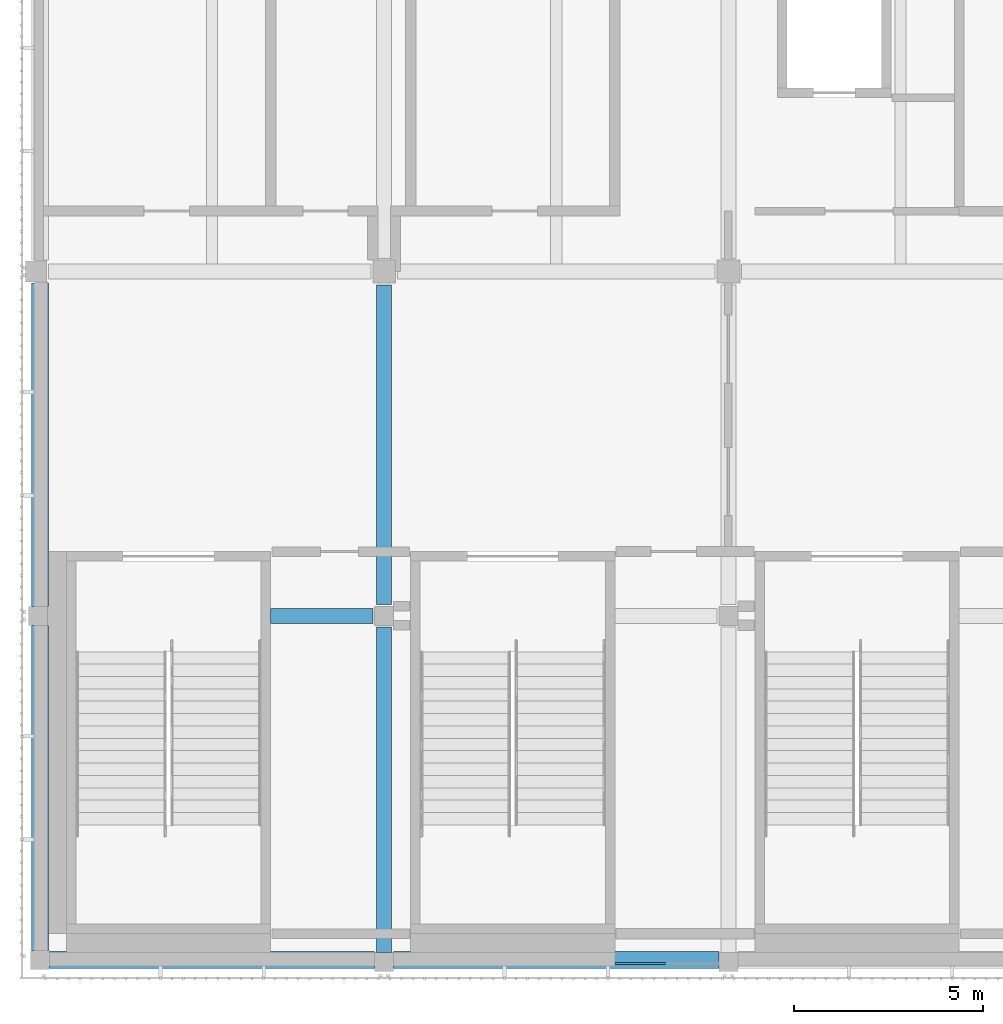
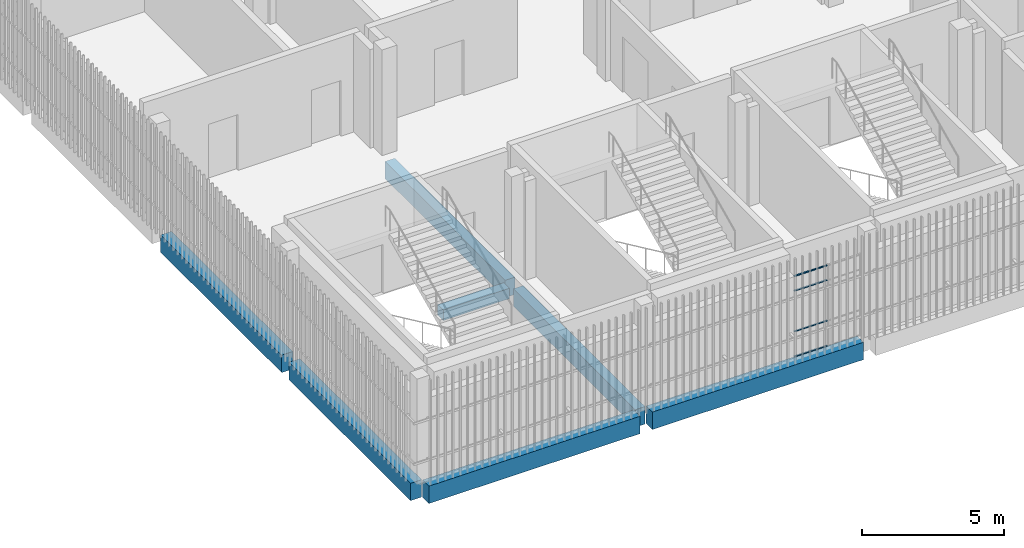
# One storey, part 3 of 124: 7 beams, 4 members, 1 element without a shape of its own.
"""IFC4 building model written with IfcOpenShell, lengths in metres."""

from ifc_helpers import new_model, si_unit, direction, frame, origin, origin_2d, place, context, subcontext, project, spatial, rectangle, hollow_rectangle, extrude, material, layer, layer_set, material_profile, profile_set, type_object, element, aggregate, save


model = new_model("IFC4")

# Units and contexts
model_context = context("Model", 3, precision=1e-05, world=origin(), true_north=direction((0.0, 1.0)))
body_context = subcontext(model_context, "Body", "Model", "MODEL_VIEW")
ifc_project = project(units=[si_unit("LENGTHUNIT", "METRE"), si_unit("AREAUNIT", "SQUARE_METRE"), si_unit("VOLUMEUNIT", "CUBIC_METRE"), si_unit("PLANEANGLEUNIT", "RADIAN"), si_unit("MASSUNIT", "GRAM", prefix="KILO")], contexts=[model_context])

# Site, building, storey
site_placement = place(None, origin())
site = spatial("IfcSite", under=ifc_project, at=site_placement, CompositionType="ELEMENT")
building_placement = place(site_placement, origin())
building = spatial("IfcBuilding", under=site, at=building_placement, Name="Shirokan Park Arena", CompositionType="ELEMENT")
storey_placement = place(building_placement, frame((0.0, 0.0, 20.02001953125)))
storey = spatial("IfcBuildingStorey", under=building, at=storey_placement, Name="L04", CompositionType="ELEMENT", Elevation=20.02001953125)

# Beams
ifc_material_1 = material(Name="Concrete C35", Category="concrete")
ifc_material_profile_1 = material_profile(ifc_material_1, rectangle(XDim=0.39990234375, YDim=0.75, at=origin_2d()), Name="400x750")
ifc_profile_set_1 = profile_set([ifc_material_profile_1], Name="Concrete C35")
beam_type_1 = type_object("IfcBeamType", Name="RC girder 400x750", PredefinedType="BEAM", material=ifc_profile_set_1)
beam_1_placement = place(storey_placement, frame((9.10009765625, 0.2001953125, -0.625), z_axis=(0.0, 1.0, 0.0), x_axis=(-1.0, 0.0, 0.0)))
element("IfcBeam", 1, at=beam_1_placement, inside=storey, type_object=beam_type_1, Name="Girder 2A-2B L04", PredefinedType="BEAM", context=body_context, shape_type="SweptSolid", body=[
    extrude(rectangle(XDim=0.39990234375, YDim=0.75, at=origin_2d()), origin(), (0.0, 0.0, 1.0), 8.599609375),
])
beam_2_placement = place(storey_placement, frame((9.10009765625, 9.400146484375, -0.625), z_axis=(0.0, 1.0, 0.0), x_axis=(-1.0, 0.0, 0.0)))
element("IfcBeam", 2, at=beam_2_placement, inside=storey, type_object=beam_type_1, Name="Girder 2B-2C L04", PredefinedType="BEAM", context=body_context, shape_type="SweptSolid", body=[
    extrude(rectangle(XDim=0.39990234375, YDim=0.75, at=origin_2d()), origin(), (0.0, 0.0, 1.0), 8.44970703125),
])
ifc_material_profile_2 = material_profile(ifc_material_1, rectangle(XDim=0.449951171875, YDim=0.75, at=origin_2d()), Name="450x750")
ifc_profile_set_2 = profile_set([ifc_material_profile_2], Name="Concrete C35")
beam_type_2 = type_object("IfcBeamType", Name="RC girder 450x750", PredefinedType="BEAM", material=ifc_profile_set_2)
for number, where, z_axis, x_axis, name in (
    (3, (0.25, 0.0, -0.625), (1.0, 0.0, 0.0), (0.0, 1.0, 0.0), "Girder 1A-2A L04"),
    (4, (9.35009765625, 0.0, -0.625), (1.0, 0.0, 0.0), (0.0, 1.0, 0.0), "Girder 2A-3A L04"),
    (5, (0.0, 0.25, -0.625), (0.0, 1.0, 0.0), (-1.0, 0.0, 0.0), "Girder 1A-1B L04"),
):
    element("IfcBeam", number, at=place(storey_placement, frame(where, z_axis=z_axis, x_axis=x_axis)), inside=storey, type_object=beam_type_2, Name=name, PredefinedType="BEAM", context=body_context, shape_type="SweptSolid", body=[
        extrude(rectangle(XDim=0.449951171875, YDim=0.75, at=origin_2d()), origin(), (0.0, 0.0, 1.0), 8.599853515625),
    ])
beam_3_placement = place(storey_placement, frame((0.0, 9.35009765625, -0.625), z_axis=(0.0, 1.0, 0.0), x_axis=(-1.0, 0.0, 0.0)))
element("IfcBeam", 6, at=beam_3_placement, inside=storey, type_object=beam_type_2, Name="Girder 1B-1C L04", PredefinedType="BEAM", context=body_context, shape_type="SweptSolid", body=[
    extrude(rectangle(XDim=0.449951171875, YDim=0.75, at=origin_2d()), origin(), (0.0, 0.0, 1.0), 8.5498046875),
])
ifc_material_profile_3 = material_profile(ifc_material_1, rectangle(XDim=0.39990234375, YDim=0.449951171875, at=origin_2d()), Name="400x450")
ifc_profile_set_3 = profile_set([ifc_material_profile_3], Name="Concrete C35")
beam_type_3 = type_object("IfcBeamType", Name="RC trimmer 400x450", PredefinedType="BEAM", material=ifc_profile_set_3)
beam_4_placement = place(storey_placement, frame((6.10009765625, 9.10009765625, -0.47509765625), z_axis=(1.0, 0.0, 0.0), x_axis=(0.0, 1.0, 0.0)))
element("IfcBeam", 7, at=beam_4_placement, inside=storey, type_object=beam_type_3, Name="Girder 1B-2B L04", PredefinedType="BEAM", context=body_context, shape_type="SweptSolid", body=[
    extrude(rectangle(XDim=0.39990234375, YDim=0.449951171875, at=origin_2d()), origin(), (0.0, 0.0, 1.0), 2.69970703125),
])

# Curtain wall, members
ifc_material_2 = material(Name="Steel and glass curtain wall", Category="steel")
ifc_layer = layer(ifc_material_2, 0.1201171875)
ifc_layer_set = layer_set([ifc_layer], Name="Steel and glass curtain wall 120 mm")
curtain_wall_type = type_object("IfcCurtainWallType", Name="Curtain wall corner block side bay 120", PredefinedType="NOTDEFINED", material=ifc_layer_set)
curtain_wall_placement = place(storey_placement, origin())
curtain_wall = element("IfcCurtainWall", 8, at=curtain_wall_placement, inside=storey, type_object=curtain_wall_type, Name="Curtain wall south bay 2 L04", PredefinedType="NOTDEFINED")
ifc_material_3 = material(Name="Steel S355", Category="steel")
ifc_material_profile_4 = material_profile(ifc_material_3, hollow_rectangle(XDim=0.06005859375, YDim=0.0400390625, WallThickness=0.00390625, at=origin_2d()), Name="RHS 60x40x4")
ifc_profile_set_4 = profile_set([ifc_material_profile_4], Name="Steel S355")
member_type = type_object("IfcMemberType", Name="Transom RHS 60x40x4", PredefinedType="MULLION", material=ifc_profile_set_4)
member_1_placement = place(storey_placement, frame((15.199951171875, -0.090087890625, 0.02001953125), z_axis=(1.0, 0.0, 0.0), x_axis=(0.0, 1.0, 0.0)))
member_1 = element("IfcMember", 9, at=member_1_placement, type_object=member_type, Name="CW3 transom 1.1", PredefinedType="MULLION", context=body_context, shape_type="SweptSolid", body=[
    extrude(hollow_rectangle(XDim=0.06005859375, YDim=0.0400390625, WallThickness=0.00390625, at=origin_2d()), origin(), (0.0, 0.0, 1.0), 1.35009765625),
])
member_2_placement = place(storey_placement, frame((15.199951171875, -0.090087890625, 1.10009765625), z_axis=(1.0, 0.0, 0.0), x_axis=(0.0, 1.0, 0.0)))
member_2 = element("IfcMember", 10, at=member_2_placement, type_object=member_type, Name="CW3 transom 1.2", PredefinedType="MULLION", context=body_context, shape_type="SweptSolid", body=[
    extrude(hollow_rectangle(XDim=0.06005859375, YDim=0.0400390625, WallThickness=0.00390625, at=origin_2d()), origin(), (0.0, 0.0, 1.0), 1.35009765625),
])
member_3_placement = place(storey_placement, frame((15.199951171875, -0.090087890625, 2.85009765625), z_axis=(1.0, 0.0, 0.0), x_axis=(0.0, 1.0, 0.0)))
member_3 = element("IfcMember", 11, at=member_3_placement, type_object=member_type, Name="CW3 transom 1.3", PredefinedType="MULLION", context=body_context, shape_type="SweptSolid", body=[
    extrude(hollow_rectangle(XDim=0.06005859375, YDim=0.0400390625, WallThickness=0.00390625, at=origin_2d()), origin(), (0.0, 0.0, 1.0), 1.35009765625),
])
member_4_placement = place(storey_placement, frame((15.199951171875, -0.090087890625, 3.47998046875), z_axis=(1.0, 0.0, 0.0), x_axis=(0.0, 1.0, 0.0)))
member_4 = element("IfcMember", 12, at=member_4_placement, type_object=member_type, Name="CW3 transom 1.4", PredefinedType="MULLION", context=body_context, shape_type="SweptSolid", body=[
    extrude(hollow_rectangle(XDim=0.06005859375, YDim=0.0400390625, WallThickness=0.00390625, at=origin_2d()), origin(), (0.0, 0.0, 1.0), 1.35009765625),
])
aggregate(curtain_wall, [member_1, member_2, member_3, member_4])

save(model, "model.ifc")
